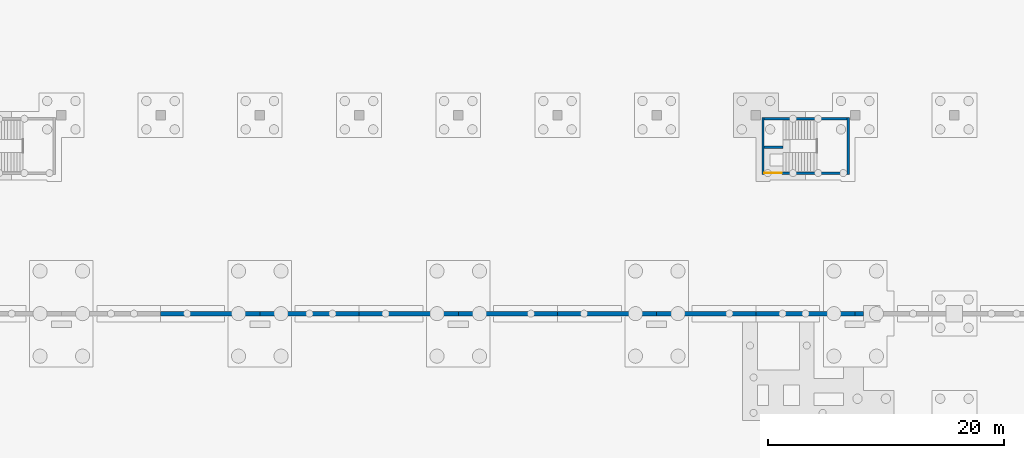
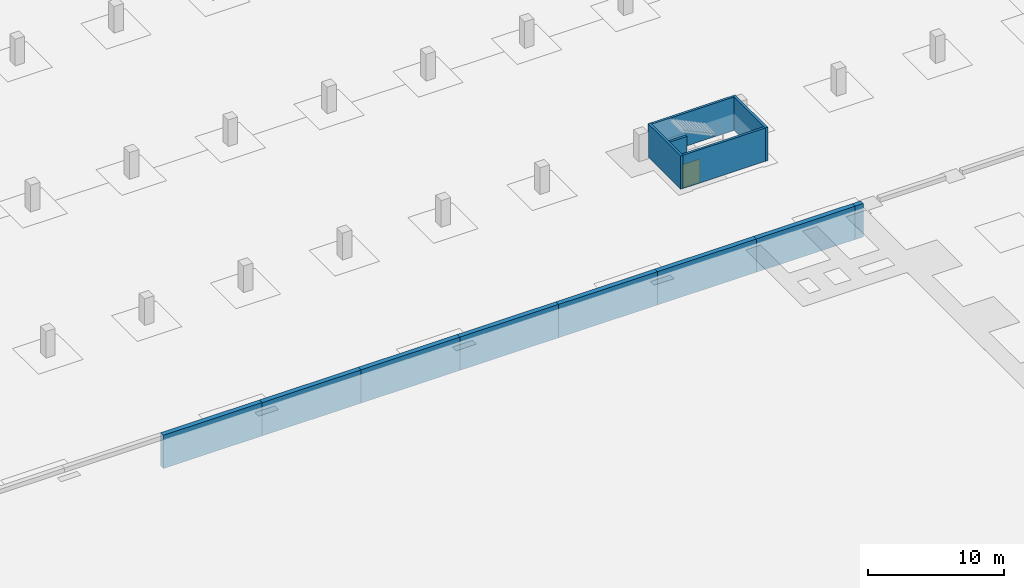
# One storey, part 43 of 67: 13 walls, 1 door, 1 opening.
"""IFC4 building model written with IfcOpenShell, lengths in metres."""

from ifc_helpers import new_model, si_unit, direction, frame, frame_2d, origin, place, context, subcontext, project, spatial, rectangle, extrude, material, layer, layer_set, type_object, element, fill, save


model = new_model("IFC4")

# Units and contexts
model_context = context("Model", 3, precision=1e-05, world=origin(), true_north=direction((0.0, 1.0)))
body_context = subcontext(model_context, "Body", "Model", "MODEL_VIEW")
ifc_project = project(units=[si_unit("LENGTHUNIT", "METRE"), si_unit("AREAUNIT", "SQUARE_METRE"), si_unit("VOLUMEUNIT", "CUBIC_METRE"), si_unit("PLANEANGLEUNIT", "RADIAN"), si_unit("MASSUNIT", "GRAM", prefix="KILO")], contexts=[model_context])

# Site, building, storey
site_placement = place(None, origin())
site = spatial("IfcSite", under=ifc_project, at=site_placement, CompositionType="ELEMENT")
building_placement = place(site_placement, origin())
building = spatial("IfcBuilding", under=site, at=building_placement, Name="Rain Tree Exposition and Congress Centre", CompositionType="ELEMENT")
storey_placement = place(building_placement, frame((0.0, 0.0, -3.0)))
storey = spatial("IfcBuildingStorey", under=building, at=storey_placement, Name="B1", CompositionType="ELEMENT", Elevation=-3.0)

# Walls
ifc_material_1 = material(Name="Concrete C40/50", Category="concrete")
ifc_layer_1 = layer(ifc_material_1, 0.199951171875)
ifc_layer_set_1 = layer_set([ifc_layer_1], Name="Concrete C40/50")
wall_type_1 = type_object("IfcWallType", Name="Exit stair wall 200", PredefinedType="PARTITIONING", material=ifc_layer_set_1)
for number, where, z_axis, x_axis, name in (
    (1, (235.800048828125, 213.39990234375, 0.0), (0.0, 0.0, 1.0), (0.0, 1.0, 0.0), "Exit stair N04 wall west"),
    (2, (243.0, 213.39990234375, 0.0), (0.0, 0.0, 1.0), (0.0, 1.0, 0.0), "Exit stair N04 wall east"),
):
    element("IfcWall", number, at=place(storey_placement, frame(where, z_axis=z_axis, x_axis=x_axis)), inside=storey, type_object=wall_type_1, Name=name, PredefinedType="SOLIDWALL", context=body_context, shape_type="SweptSolid", body=[
        extrude(rectangle(XDim=4.800048828125, YDim=0.199951171875, at=frame_2d((2.39990234375, 0.0))), origin(), (0.0, 0.0, 1.0), 3.0),
    ])

# Wall, opening, door
wall_1_placement = place(storey_placement, frame((235.89990234375, 213.5, 0.0), z_axis=(0.0, 0.0, 1.0), x_axis=(1.0, 0.0, 0.0)))
wall_1 = element("IfcWall", 3, at=wall_1_placement, inside=storey, type_object=wall_type_1, Name="Exit stair N04 wall south", PredefinedType="SOLIDWALL", context=body_context, shape_type="SweptSolid", body=[
    extrude(rectangle(XDim=7.0, YDim=0.199951171875, at=frame_2d((3.5, 0.0))), origin(), (0.0, 0.0, 1.0), 3.0),
])
opening_placement = place(wall_1_placement, origin())
opening = element("IfcOpeningElement", 4, at=opening_placement, cuts=wall_1, Name="Opening DS145", PredefinedType="OPENING", context=body_context, shape_type="SweptSolid", body=[
    extrude(rectangle(XDim=1.5, YDim=2.10009765625, at=frame_2d((0.75, 1.050048828125))), frame((0.0, 0.10009765625, 0.0), z_axis=(0.0, -1.0, 0.0), x_axis=(1.0, 0.0, 0.0)), (0.0, 0.0, 1.0), 0.199951171875),
])
ifc_material_2 = material(Name="Powder-coated steel", Category="steel")
door_type = type_object("IfcDoorType", Name="Exit stair door 1500x2100", OperationType="NOTDEFINED", PredefinedType="DOOR", material=ifc_material_2)
door_placement = place(opening_placement, origin())
door = element("IfcDoor", 5, at=door_placement, inside=storey, type_object=door_type, Name="Exit stair N04 door B1", OperationType="SINGLE_SWING_LEFT", OverallHeight=2.10009765625, OverallWidth=1.5, PredefinedType="DOOR", context=body_context, shape_type="SweptSolid", body=[
    extrude(rectangle(XDim=1.5, YDim=2.10009765625, at=frame_2d((0.75, 1.050048828125))), frame((0.0, 0.02490234375, 0.0), z_axis=(0.0, -1.0, 0.0), x_axis=(1.0, 0.0, 0.0)), (0.0, 0.0, 1.0), 0.050048828125),
])
fill(opening, door)

# Walls
wall_2_placement = place(storey_placement, frame((235.89990234375, 218.10009765625, 0.0), z_axis=(0.0, 0.0, 1.0), x_axis=(1.0, 0.0, 0.0)))
element("IfcWall", 6, at=wall_2_placement, inside=storey, type_object=wall_type_1, Name="Exit stair N04 wall north", PredefinedType="SOLIDWALL", context=body_context, shape_type="SweptSolid", body=[
    extrude(rectangle(XDim=7.0, YDim=0.199951171875, at=frame_2d((3.5, 0.0))), origin(), (0.0, 0.0, 1.0), 3.0),
])
wall_3_placement = place(storey_placement, frame((235.89990234375, 215.699951171875, 0.0), z_axis=(0.0, 0.0, 1.0), x_axis=(1.0, 0.0, 0.0)))
element("IfcWall", 7, at=wall_3_placement, inside=storey, type_object=wall_type_1, Name="Exit stair N04 landing support", PredefinedType="SOLIDWALL", context=body_context, shape_type="SweptSolid", body=[
    extrude(rectangle(XDim=1.60009765625, YDim=0.199951171875, at=frame_2d((0.800048828125, 0.0))), origin(), (0.0, 0.0, 1.0), 2.800048828125),
])
ifc_material_3 = material(Name="Concrete C40/50", Category="concrete")
ifc_layer_2 = layer(ifc_material_3, 0.39990234375)
ifc_layer_set_2 = layer_set([ifc_layer_2], Name="Concrete C40/50")
wall_type_2 = type_object("IfcWallType", Name="Precast retaining wall 400", PredefinedType="SOLIDWALL", material=ifc_layer_set_2)
wall_4_placement = place(storey_placement, frame((184.800048828125, 201.60009765625, 0.0), z_axis=(0.0, 0.0, 1.0), x_axis=(1.0, 0.0, 0.0)))
element("IfcWall", 8, at=wall_4_placement, inside=storey, type_object=wall_type_2, Name="Retaining wall 071", PredefinedType="SOLIDWALL", context=body_context, shape_type="SweptSolid", body=[
    extrude(rectangle(XDim=8.39990234375, YDim=0.39990234375, at=frame_2d((4.199951171875, 0.0))), origin(), (0.0, 0.0, 1.0), 3.0),
])
wall_5_placement = place(storey_placement, frame((193.199951171875, 201.60009765625, 0.0), z_axis=(0.0, 0.0, 1.0), x_axis=(1.0, 0.0, 0.0)))
element("IfcWall", 9, at=wall_5_placement, inside=storey, type_object=wall_type_2, Name="Retaining wall 072", PredefinedType="SOLIDWALL", context=body_context, shape_type="SweptSolid", body=[
    extrude(rectangle(XDim=8.400146484375, YDim=0.39990234375, at=frame_2d((4.2001953125, 0.0))), origin(), (0.0, 0.0, 1.0), 3.0),
])
for number, where, z_axis, x_axis, name in (
    (10, (201.60009765625, 201.60009765625, 0.0), (0.0, 0.0, 1.0), (1.0, 0.0, 0.0), "Retaining wall 073"),
    (11, (210.0, 201.60009765625, 0.0), (0.0, 0.0, 1.0), (1.0, 0.0, 0.0), "Retaining wall 074"),
):
    element("IfcWall", number, at=place(storey_placement, frame(where, z_axis=z_axis, x_axis=x_axis)), inside=storey, type_object=wall_type_2, Name=name, PredefinedType="SOLIDWALL", context=body_context, shape_type="SweptSolid", body=[
        extrude(rectangle(XDim=8.39990234375, YDim=0.39990234375, at=frame_2d((4.199951171875, 0.0))), origin(), (0.0, 0.0, 1.0), 3.0),
    ])
wall_6_placement = place(storey_placement, frame((218.39990234375, 201.60009765625, 0.0), z_axis=(0.0, 0.0, 1.0), x_axis=(1.0, 0.0, 0.0)))
element("IfcWall", 12, at=wall_6_placement, inside=storey, type_object=wall_type_2, Name="Retaining wall 075", PredefinedType="SOLIDWALL", context=body_context, shape_type="SweptSolid", body=[
    extrude(rectangle(XDim=8.400146484375, YDim=0.39990234375, at=frame_2d((4.2001953125, 0.0))), origin(), (0.0, 0.0, 1.0), 3.0),
])
wall_7_placement = place(storey_placement, frame((226.800048828125, 201.60009765625, 0.0), z_axis=(0.0, 0.0, 1.0), x_axis=(1.0, 0.0, 0.0)))
element("IfcWall", 13, at=wall_7_placement, inside=storey, type_object=wall_type_2, Name="Retaining wall 076", PredefinedType="SOLIDWALL", context=body_context, shape_type="SweptSolid", body=[
    extrude(rectangle(XDim=8.39990234375, YDim=0.39990234375, at=frame_2d((4.199951171875, 0.0))), origin(), (0.0, 0.0, 1.0), 3.0),
])
wall_8_placement = place(storey_placement, frame((235.199951171875, 201.60009765625, 0.0), z_axis=(0.0, 0.0, 1.0), x_axis=(1.0, 0.0, 0.0)))
element("IfcWall", 14, at=wall_8_placement, inside=storey, type_object=wall_type_2, Name="Retaining wall 077", PredefinedType="SOLIDWALL", context=body_context, shape_type="SweptSolid", body=[
    extrude(rectangle(XDim=8.400146484375, YDim=0.39990234375, at=frame_2d((4.2001953125, 0.0))), origin(), (0.0, 0.0, 1.0), 3.0),
])
wall_9_placement = place(storey_placement, frame((243.60009765625, 201.60009765625, 0.0), z_axis=(0.0, 0.0, 1.0), x_axis=(1.0, 0.0, 0.0)))
element("IfcWall", 15, at=wall_9_placement, inside=storey, type_object=wall_type_2, Name="Retaining wall 078", PredefinedType="SOLIDWALL", context=body_context, shape_type="SweptSolid", body=[
    extrude(rectangle(XDim=0.699951171875, YDim=0.39990234375, at=frame_2d((0.35009765625, 0.0))), origin(), (0.0, 0.0, 1.0), 3.0),
])

save(model, "model.ifc")
